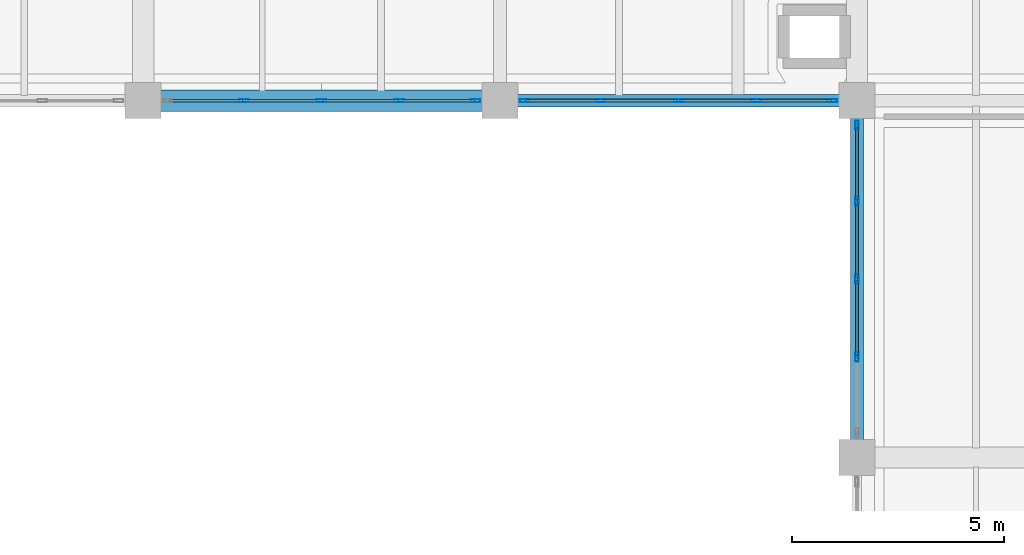
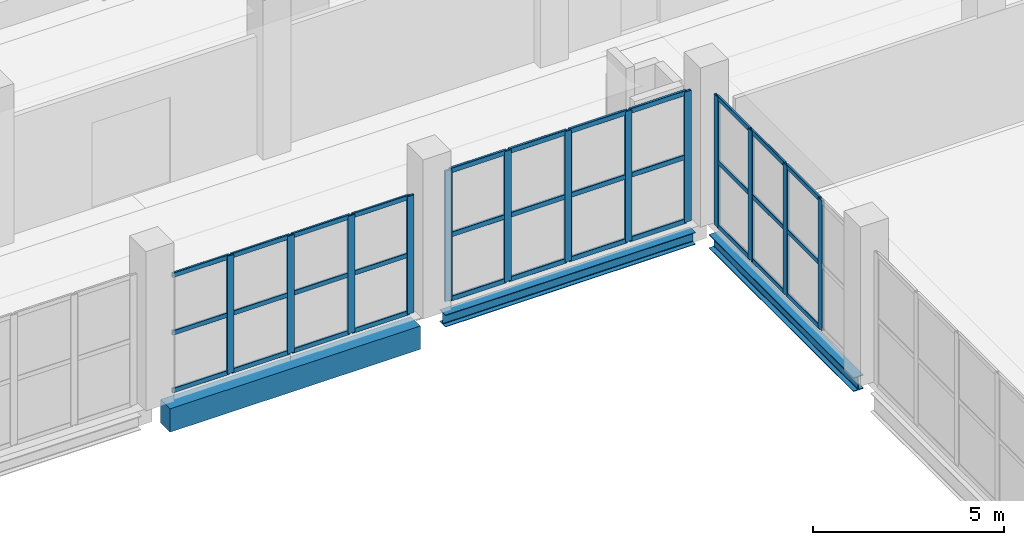
# One storey, part 36 of 66: 46 members, 3 beams, 3 elements without a shape of their own.
"""IFC4 building model written with IfcOpenShell, lengths in metres."""

from ifc_helpers import new_model, si_unit, direction, frame, origin, origin_2d, place, context, subcontext, project, spatial, rectangle, hollow_rectangle, i_section, extrude, material, layer, layer_set, material_profile, profile_set, type_object, element, aggregate, save


model = new_model("IFC4")

# Units and contexts
model_context = context("Model", 3, precision=1e-05, world=origin(), true_north=direction((0.0, 1.0)))
body_context = subcontext(model_context, "Body", "Model", "MODEL_VIEW")
ifc_project = project(units=[si_unit("LENGTHUNIT", "METRE"), si_unit("AREAUNIT", "SQUARE_METRE"), si_unit("VOLUMEUNIT", "CUBIC_METRE"), si_unit("PLANEANGLEUNIT", "RADIAN"), si_unit("MASSUNIT", "GRAM", prefix="KILO")], contexts=[model_context])

# Site, building, storey
site_placement = place(None, origin())
site = spatial("IfcSite", under=ifc_project, at=site_placement, CompositionType="ELEMENT")
building_placement = place(site_placement, origin())
building = spatial("IfcBuilding", under=site, at=building_placement, Name="Zulmaris Art Gallery", CompositionType="ELEMENT")
storey_placement = place(building_placement, frame((0.0, 0.0, 5.39990234375)))
storey = spatial("IfcBuildingStorey", under=building, at=storey_placement, Name="L01", CompositionType="ELEMENT", Elevation=5.39990234375)

# Beams
ifc_material_1 = material(Name="Steel S355J2", Category="steel")
ifc_material_profile_1 = material_profile(ifc_material_1, i_section(OverallWidth=0.300048828125, OverallDepth=0.389892578125, WebThickness=0.010986328125, FlangeThickness=0.01904296875, FilletRadius=0.027099609375, at=origin_2d()), Name="HEA 400")
ifc_profile_set_1 = profile_set([ifc_material_profile_1], Name="Steel S355J2")
beam_type_1 = type_object("IfcBeamType", Name="BEAM-BM09", PredefinedType="BEAM", material=ifc_profile_set_1)
beam_1_placement = place(storey_placement, frame((175.610107421875, 58.800048828125, -0.52490234375), z_axis=(1.0, 0.0, 0.0), x_axis=(0.0, 1.0, 0.0)))
element("IfcBeam", 1, at=beam_1_placement, inside=storey, type_object=beam_type_1, Name="L01 X-girder (175.2..183.6, y=58.8)", PredefinedType="BEAM", context=body_context, shape_type="SweptSolid", body=[
    extrude(i_section(OverallWidth=0.300048828125, OverallDepth=0.389892578125, WebThickness=0.010986328125, FlangeThickness=0.01904296875, FilletRadius=0.027099609375, at=origin_2d()), origin(), (0.0, 0.0, 1.0), 7.579833984375),
])
ifc_material_profile_2 = material_profile(ifc_material_1, i_section(OverallWidth=0.300048828125, OverallDepth=0.449951171875, WebThickness=0.013916015625, FlangeThickness=0.02587890625, FilletRadius=0.027099609375, at=origin_2d()), Name="HEB 450")
ifc_profile_set_2 = profile_set([ifc_material_profile_2], Name="Steel S355J2")
beam_type_2 = type_object("IfcBeamType", Name="BEAM-BM13", PredefinedType="BEAM", material=ifc_profile_set_2)
beam_2_placement = place(storey_placement, frame((183.60009765625, 50.81005859375, -0.554931640625), z_axis=(0.0, 1.0, 0.0), x_axis=(-1.0, 0.0, 0.0)))
element("IfcBeam", 2, at=beam_2_placement, inside=storey, type_object=beam_type_2, Name="L01 Y-girder (x=183.6, 50.4..58.8)", PredefinedType="BEAM", context=body_context, shape_type="SweptSolid", body=[
    extrude(i_section(OverallWidth=0.300048828125, OverallDepth=0.449951171875, WebThickness=0.013916015625, FlangeThickness=0.02587890625, FilletRadius=0.027099609375, at=origin_2d()), origin(), (0.0, 0.0, 1.0), 7.579833984375),
])
ifc_material_2 = material(Name="Concrete C40/50", Category="concrete")
ifc_material_profile_3 = material_profile(ifc_material_2, rectangle(XDim=0.5, YDim=0.75, at=origin_2d()), Name="RC 500x750")
ifc_profile_set_3 = profile_set([ifc_material_profile_3], Name="Concrete C40/50")
beam_type_3 = type_object("IfcBeamType", Name="BEAM-BM20", PredefinedType="BEAM", material=ifc_profile_set_3)
beam_3_placement = place(storey_placement, frame((167.2099609375, 58.800048828125, -0.704833984375), z_axis=(1.0, 0.0, 0.0), x_axis=(0.0, 1.0, 0.0)))
element("IfcBeam", 3, at=beam_3_placement, inside=storey, type_object=beam_type_3, Name="L01 X-girder (166.8..175.2, y=58.8)", PredefinedType="BEAM", context=body_context, shape_type="SweptSolid", body=[
    extrude(rectangle(XDim=0.5, YDim=0.75, at=origin_2d()), origin(), (0.0, 0.0, 1.0), 7.580078125),
])

# Curtain wall, members
ifc_material_3 = material(Name="Courtyard Artists Studio Curtain Wall", Category="aluminium")
ifc_layer = layer(ifc_material_3, 0.179931640625)
ifc_layer_set = layer_set([ifc_layer], Name="Courtyard Artists Studio Curtain Wall")
curtain_wall_type = type_object("IfcCurtainWallType", Name="CW-CW04", PredefinedType="NOTDEFINED", material=ifc_layer_set)
curtain_wall_1_placement = place(storey_placement, origin())
curtain_wall_1 = element("IfcCurtainWall", 4, at=curtain_wall_1_placement, inside=storey, type_object=curtain_wall_type, Name="L01 curtain wall 128", PredefinedType="NOTDEFINED")
ifc_material_4 = material(Name="Anodised Bronze Aluminium", Category="aluminium")
ifc_material_profile_4 = material_profile(ifc_material_4, hollow_rectangle(XDim=0.074951171875, YDim=0.219970703125, WallThickness=0.0048828125, InnerFilletRadius=0.007568359375, OuterFilletRadius=0.012451171875, at=origin_2d()), Name="ALU 75x220x5")
ifc_profile_set_4 = profile_set([ifc_material_profile_4], Name="Anodised Bronze Aluminium")
member_type_1 = type_object("IfcMemberType", Name="CWMUL-02", PredefinedType="MULLION", material=ifc_profile_set_4)
member_1_placement = place(storey_placement, frame((183.60009765625, 58.222412109375, 0.0), z_axis=(0.0, 0.0, 1.0), x_axis=(1.0, 0.0, 0.0)))
member_1 = element("IfcMember", 5, at=member_1_placement, type_object=member_type_1, Name="CW04 mullion 1", PredefinedType="MULLION", context=body_context, shape_type="SweptSolid", body=[
    extrude(hollow_rectangle(XDim=0.074951171875, YDim=0.219970703125, WallThickness=0.0048828125, InnerFilletRadius=0.007568359375, OuterFilletRadius=0.012451171875, at=origin_2d()), origin(), (0.0, 0.0, 1.0), 4.170166015625),
])
member_2_placement = place(storey_placement, frame((183.60009765625, 56.429931640625, 0.0), z_axis=(0.0, 0.0, 1.0), x_axis=(1.0, 0.0, 0.0)))
member_2 = element("IfcMember", 6, at=member_2_placement, type_object=member_type_1, Name="CW04 mullion 2", PredefinedType="MULLION", context=body_context, shape_type="SweptSolid", body=[
    extrude(hollow_rectangle(XDim=0.074951171875, YDim=0.219970703125, WallThickness=0.0048828125, InnerFilletRadius=0.007568359375, OuterFilletRadius=0.012451171875, at=origin_2d()), origin(), (0.0, 0.0, 1.0), 4.170166015625),
])
member_3_placement = place(storey_placement, frame((183.60009765625, 54.60009765625, 0.0), z_axis=(0.0, 0.0, 1.0), x_axis=(1.0, 0.0, 0.0)))
member_3 = element("IfcMember", 7, at=member_3_placement, type_object=member_type_1, Name="CW04 mullion 3", PredefinedType="MULLION", context=body_context, shape_type="SweptSolid", body=[
    extrude(hollow_rectangle(XDim=0.074951171875, YDim=0.219970703125, WallThickness=0.0048828125, InnerFilletRadius=0.007568359375, OuterFilletRadius=0.012451171875, at=origin_2d()), origin(), (0.0, 0.0, 1.0), 4.170166015625),
])
member_4_placement = place(storey_placement, frame((183.60009765625, 52.77001953125, 0.0), z_axis=(0.0, 0.0, 1.0), x_axis=(1.0, 0.0, 0.0)))
member_4 = element("IfcMember", 8, at=member_4_placement, type_object=member_type_1, Name="CW04 mullion 4", PredefinedType="MULLION", context=body_context, shape_type="SweptSolid", body=[
    extrude(hollow_rectangle(XDim=0.074951171875, YDim=0.219970703125, WallThickness=0.0048828125, InnerFilletRadius=0.007568359375, OuterFilletRadius=0.012451171875, at=origin_2d()), origin(), (0.0, 0.0, 1.0), 4.170166015625),
])

curtain_wall_2_placement = place(storey_placement, origin())
curtain_wall_2 = element("IfcCurtainWall", 9, at=curtain_wall_2_placement, inside=storey, type_object=curtain_wall_type, Name="L01 curtain wall 131", PredefinedType="NOTDEFINED")
member_5_placement = place(storey_placement, frame((174.62255859375, 58.800048828125, 0.0), z_axis=(0.0, 0.0, 1.0), x_axis=(0.0, -1.0, 0.0)))
member_5 = element("IfcMember", 10, at=member_5_placement, type_object=member_type_1, Name="CW04 mullion 1", PredefinedType="MULLION", context=body_context, shape_type="SweptSolid", body=[
    extrude(hollow_rectangle(XDim=0.074951171875, YDim=0.219970703125, WallThickness=0.0048828125, InnerFilletRadius=0.007568359375, OuterFilletRadius=0.012451171875, at=origin_2d()), origin(), (0.0, 0.0, 1.0), 3.77001953125),
])
member_6_placement = place(storey_placement, frame((172.830078125, 58.800048828125, 0.0), z_axis=(0.0, 0.0, 1.0), x_axis=(0.0, -1.0, 0.0)))
member_6 = element("IfcMember", 11, at=member_6_placement, type_object=member_type_1, Name="CW04 mullion 2", PredefinedType="MULLION", context=body_context, shape_type="SweptSolid", body=[
    extrude(hollow_rectangle(XDim=0.074951171875, YDim=0.219970703125, WallThickness=0.0048828125, InnerFilletRadius=0.007568359375, OuterFilletRadius=0.012451171875, at=origin_2d()), origin(), (0.0, 0.0, 1.0), 3.77001953125),
])
member_7_placement = place(storey_placement, frame((171.0, 58.800048828125, 0.0), z_axis=(0.0, 0.0, 1.0), x_axis=(0.0, -1.0, 0.0)))
member_7 = element("IfcMember", 12, at=member_7_placement, type_object=member_type_1, Name="CW04 mullion 3", PredefinedType="MULLION", context=body_context, shape_type="SweptSolid", body=[
    extrude(hollow_rectangle(XDim=0.074951171875, YDim=0.219970703125, WallThickness=0.0048828125, InnerFilletRadius=0.007568359375, OuterFilletRadius=0.012451171875, at=origin_2d()), origin(), (0.0, 0.0, 1.0), 3.77001953125),
])
member_8_placement = place(storey_placement, frame((169.169921875, 58.800048828125, 0.0), z_axis=(0.0, 0.0, 1.0), x_axis=(0.0, -1.0, 0.0)))
member_8 = element("IfcMember", 13, at=member_8_placement, type_object=member_type_1, Name="CW04 mullion 4", PredefinedType="MULLION", context=body_context, shape_type="SweptSolid", body=[
    extrude(hollow_rectangle(XDim=0.074951171875, YDim=0.219970703125, WallThickness=0.0048828125, InnerFilletRadius=0.007568359375, OuterFilletRadius=0.012451171875, at=origin_2d()), origin(), (0.0, 0.0, 1.0), 3.77001953125),
])

curtain_wall_3_placement = place(storey_placement, origin())
curtain_wall_3 = element("IfcCurtainWall", 14, at=curtain_wall_3_placement, inside=storey, type_object=curtain_wall_type, Name="L01 curtain wall 133", PredefinedType="NOTDEFINED")
member_9_placement = place(storey_placement, frame((183.0224609375, 58.800048828125, 0.0), z_axis=(0.0, 0.0, 1.0), x_axis=(0.0, -1.0, 0.0)))
member_9 = element("IfcMember", 15, at=member_9_placement, type_object=member_type_1, Name="CW04 mullion 1", PredefinedType="MULLION", context=body_context, shape_type="SweptSolid", body=[
    extrude(hollow_rectangle(XDim=0.074951171875, YDim=0.219970703125, WallThickness=0.0048828125, InnerFilletRadius=0.007568359375, OuterFilletRadius=0.012451171875, at=origin_2d()), origin(), (0.0, 0.0, 1.0), 4.18017578125),
])
member_10_placement = place(storey_placement, frame((181.22998046875, 58.800048828125, 0.0), z_axis=(0.0, 0.0, 1.0), x_axis=(0.0, -1.0, 0.0)))
member_10 = element("IfcMember", 16, at=member_10_placement, type_object=member_type_1, Name="CW04 mullion 2", PredefinedType="MULLION", context=body_context, shape_type="SweptSolid", body=[
    extrude(hollow_rectangle(XDim=0.074951171875, YDim=0.219970703125, WallThickness=0.0048828125, InnerFilletRadius=0.007568359375, OuterFilletRadius=0.012451171875, at=origin_2d()), origin(), (0.0, 0.0, 1.0), 4.18017578125),
])
member_11_placement = place(storey_placement, frame((179.39990234375, 58.800048828125, 0.0), z_axis=(0.0, 0.0, 1.0), x_axis=(0.0, -1.0, 0.0)))
member_11 = element("IfcMember", 17, at=member_11_placement, type_object=member_type_1, Name="CW04 mullion 3", PredefinedType="MULLION", context=body_context, shape_type="SweptSolid", body=[
    extrude(hollow_rectangle(XDim=0.074951171875, YDim=0.219970703125, WallThickness=0.0048828125, InnerFilletRadius=0.007568359375, OuterFilletRadius=0.012451171875, at=origin_2d()), origin(), (0.0, 0.0, 1.0), 4.18017578125),
])
member_12_placement = place(storey_placement, frame((177.570068359375, 58.800048828125, 0.0), z_axis=(0.0, 0.0, 1.0), x_axis=(0.0, -1.0, 0.0)))
member_12 = element("IfcMember", 18, at=member_12_placement, type_object=member_type_1, Name="CW04 mullion 4", PredefinedType="MULLION", context=body_context, shape_type="SweptSolid", body=[
    extrude(hollow_rectangle(XDim=0.074951171875, YDim=0.219970703125, WallThickness=0.0048828125, InnerFilletRadius=0.007568359375, OuterFilletRadius=0.012451171875, at=origin_2d()), origin(), (0.0, 0.0, 1.0), 4.18017578125),
])
member_13_placement = place(storey_placement, frame((175.777587890625, 58.800048828125, 0.0), z_axis=(0.0, 0.0, 1.0), x_axis=(0.0, -1.0, 0.0)))
member_13 = element("IfcMember", 19, at=member_13_placement, type_object=member_type_1, Name="CW04 mullion 5", PredefinedType="MULLION", context=body_context, shape_type="SweptSolid", body=[
    extrude(hollow_rectangle(XDim=0.074951171875, YDim=0.219970703125, WallThickness=0.0048828125, InnerFilletRadius=0.007568359375, OuterFilletRadius=0.012451171875, at=origin_2d()), origin(), (0.0, 0.0, 1.0), 4.18017578125),
])

# Member
ifc_material_profile_5 = material_profile(ifc_material_4, hollow_rectangle(XDim=0.06494140625, YDim=0.14990234375, WallThickness=0.00390625, InnerFilletRadius=0.006103515625, OuterFilletRadius=0.010009765625, at=origin_2d()), Name="ALU 65x150x4")
ifc_profile_set_5 = profile_set([ifc_material_profile_5], Name="Anodised Bronze Aluminium")
member_type_2 = type_object("IfcMemberType", Name="CWTRN-01", PredefinedType="USERDEFINED", material=ifc_profile_set_5)
member_14_placement = place(storey_placement, frame((183.60009765625, 58.18505859375, 0.03759765625), z_axis=(0.0, -1.0, 0.0), x_axis=(1.0, 0.0, 0.0)))
member_14 = element("IfcMember", 20, at=member_14_placement, type_object=member_type_2, Name="CW04 transom 1.1", ObjectType="TRANSOM", PredefinedType="USERDEFINED", context=body_context, shape_type="SweptSolid", body=[
    extrude(hollow_rectangle(XDim=0.06494140625, YDim=0.14990234375, WallThickness=0.00390625, InnerFilletRadius=0.006103515625, OuterFilletRadius=0.010009765625, at=origin_2d()), origin(), (0.0, 0.0, 1.0), 1.717529296875),
])

member_15_placement = place(storey_placement, frame((183.60009765625, 58.18505859375, 2.085205078125), z_axis=(0.0, -1.0, 0.0), x_axis=(1.0, 0.0, 0.0)))
member_15 = element("IfcMember", 21, at=member_15_placement, type_object=member_type_2, Name="CW04 transom 1.2", ObjectType="TRANSOM", PredefinedType="USERDEFINED", context=body_context, shape_type="SweptSolid", body=[
    extrude(hollow_rectangle(XDim=0.06494140625, YDim=0.14990234375, WallThickness=0.00390625, InnerFilletRadius=0.006103515625, OuterFilletRadius=0.010009765625, at=origin_2d()), origin(), (0.0, 0.0, 1.0), 1.717529296875),
])

member_16_placement = place(storey_placement, frame((183.60009765625, 58.18505859375, 4.132568359375), z_axis=(0.0, -1.0, 0.0), x_axis=(1.0, 0.0, 0.0)))
member_16 = element("IfcMember", 22, at=member_16_placement, type_object=member_type_2, Name="CW04 transom 1.3", ObjectType="TRANSOM", PredefinedType="USERDEFINED", context=body_context, shape_type="SweptSolid", body=[
    extrude(hollow_rectangle(XDim=0.06494140625, YDim=0.14990234375, WallThickness=0.00390625, InnerFilletRadius=0.006103515625, OuterFilletRadius=0.010009765625, at=origin_2d()), origin(), (0.0, 0.0, 1.0), 1.717529296875),
])

member_17_placement = place(storey_placement, frame((183.60009765625, 56.392578125, 0.03759765625), z_axis=(0.0, -1.0, 0.0), x_axis=(1.0, 0.0, 0.0)))
member_17 = element("IfcMember", 23, at=member_17_placement, type_object=member_type_2, Name="CW04 transom 2.1", ObjectType="TRANSOM", PredefinedType="USERDEFINED", context=body_context, shape_type="SweptSolid", body=[
    extrude(hollow_rectangle(XDim=0.06494140625, YDim=0.14990234375, WallThickness=0.00390625, InnerFilletRadius=0.006103515625, OuterFilletRadius=0.010009765625, at=origin_2d()), origin(), (0.0, 0.0, 1.0), 1.755126953125),
])

member_18_placement = place(storey_placement, frame((183.60009765625, 56.392578125, 2.085205078125), z_axis=(0.0, -1.0, 0.0), x_axis=(1.0, 0.0, 0.0)))
member_18 = element("IfcMember", 24, at=member_18_placement, type_object=member_type_2, Name="CW04 transom 2.2", ObjectType="TRANSOM", PredefinedType="USERDEFINED", context=body_context, shape_type="SweptSolid", body=[
    extrude(hollow_rectangle(XDim=0.06494140625, YDim=0.14990234375, WallThickness=0.00390625, InnerFilletRadius=0.006103515625, OuterFilletRadius=0.010009765625, at=origin_2d()), origin(), (0.0, 0.0, 1.0), 1.755126953125),
])

member_19_placement = place(storey_placement, frame((183.60009765625, 56.392578125, 4.132568359375), z_axis=(0.0, -1.0, 0.0), x_axis=(1.0, 0.0, 0.0)))
member_19 = element("IfcMember", 25, at=member_19_placement, type_object=member_type_2, Name="CW04 transom 2.3", ObjectType="TRANSOM", PredefinedType="USERDEFINED", context=body_context, shape_type="SweptSolid", body=[
    extrude(hollow_rectangle(XDim=0.06494140625, YDim=0.14990234375, WallThickness=0.00390625, InnerFilletRadius=0.006103515625, OuterFilletRadius=0.010009765625, at=origin_2d()), origin(), (0.0, 0.0, 1.0), 1.755126953125),
])

member_20_placement = place(storey_placement, frame((183.60009765625, 54.5625, 0.03759765625), z_axis=(0.0, -1.0, 0.0), x_axis=(1.0, 0.0, 0.0)))
member_20 = element("IfcMember", 26, at=member_20_placement, type_object=member_type_2, Name="CW04 transom 3.1", ObjectType="TRANSOM", PredefinedType="USERDEFINED", context=body_context, shape_type="SweptSolid", body=[
    extrude(hollow_rectangle(XDim=0.06494140625, YDim=0.14990234375, WallThickness=0.00390625, InnerFilletRadius=0.006103515625, OuterFilletRadius=0.010009765625, at=origin_2d()), origin(), (0.0, 0.0, 1.0), 1.7548828125),
])

member_21_placement = place(storey_placement, frame((183.60009765625, 54.5625, 2.085205078125), z_axis=(0.0, -1.0, 0.0), x_axis=(1.0, 0.0, 0.0)))
member_21 = element("IfcMember", 27, at=member_21_placement, type_object=member_type_2, Name="CW04 transom 3.2", ObjectType="TRANSOM", PredefinedType="USERDEFINED", context=body_context, shape_type="SweptSolid", body=[
    extrude(hollow_rectangle(XDim=0.06494140625, YDim=0.14990234375, WallThickness=0.00390625, InnerFilletRadius=0.006103515625, OuterFilletRadius=0.010009765625, at=origin_2d()), origin(), (0.0, 0.0, 1.0), 1.7548828125),
])

member_22_placement = place(storey_placement, frame((183.60009765625, 54.5625, 4.132568359375), z_axis=(0.0, -1.0, 0.0), x_axis=(1.0, 0.0, 0.0)))
member_22 = element("IfcMember", 28, at=member_22_placement, type_object=member_type_2, Name="CW04 transom 3.3", ObjectType="TRANSOM", PredefinedType="USERDEFINED", context=body_context, shape_type="SweptSolid", body=[
    extrude(hollow_rectangle(XDim=0.06494140625, YDim=0.14990234375, WallThickness=0.00390625, InnerFilletRadius=0.006103515625, OuterFilletRadius=0.010009765625, at=origin_2d()), origin(), (0.0, 0.0, 1.0), 1.7548828125),
])

aggregate(curtain_wall_1, [member_1, member_2, member_3, member_4, member_14, member_15, member_16, member_17, member_18, member_19, member_20, member_21, member_22])

member_23_placement = place(storey_placement, frame((174.5849609375, 58.800048828125, 0.03759765625), z_axis=(-1.0, 0.0, 0.0), x_axis=(0.0, -1.0, 0.0)))
member_23 = element("IfcMember", 29, at=member_23_placement, type_object=member_type_2, Name="CW04 transom 1.1", ObjectType="TRANSOM", PredefinedType="USERDEFINED", context=body_context, shape_type="SweptSolid", body=[
    extrude(hollow_rectangle(XDim=0.06494140625, YDim=0.14990234375, WallThickness=0.00390625, InnerFilletRadius=0.006103515625, OuterFilletRadius=0.010009765625, at=origin_2d()), origin(), (0.0, 0.0, 1.0), 1.717529296875),
])

member_24_placement = place(storey_placement, frame((174.5849609375, 58.800048828125, 1.885009765625), z_axis=(-1.0, 0.0, 0.0), x_axis=(0.0, -1.0, 0.0)))
member_24 = element("IfcMember", 30, at=member_24_placement, type_object=member_type_2, Name="CW04 transom 1.2", ObjectType="TRANSOM", PredefinedType="USERDEFINED", context=body_context, shape_type="SweptSolid", body=[
    extrude(hollow_rectangle(XDim=0.06494140625, YDim=0.14990234375, WallThickness=0.00390625, InnerFilletRadius=0.006103515625, OuterFilletRadius=0.010009765625, at=origin_2d()), origin(), (0.0, 0.0, 1.0), 1.717529296875),
])

member_25_placement = place(storey_placement, frame((174.5849609375, 58.800048828125, 3.732666015625), z_axis=(-1.0, 0.0, 0.0), x_axis=(0.0, -1.0, 0.0)))
member_25 = element("IfcMember", 31, at=member_25_placement, type_object=member_type_2, Name="CW04 transom 1.3", ObjectType="TRANSOM", PredefinedType="USERDEFINED", context=body_context, shape_type="SweptSolid", body=[
    extrude(hollow_rectangle(XDim=0.06494140625, YDim=0.14990234375, WallThickness=0.00390625, InnerFilletRadius=0.006103515625, OuterFilletRadius=0.010009765625, at=origin_2d()), origin(), (0.0, 0.0, 1.0), 1.717529296875),
])

member_26_placement = place(storey_placement, frame((172.79248046875, 58.800048828125, 0.03759765625), z_axis=(-1.0, 0.0, 0.0), x_axis=(0.0, -1.0, 0.0)))
member_26 = element("IfcMember", 32, at=member_26_placement, type_object=member_type_2, Name="CW04 transom 2.1", ObjectType="TRANSOM", PredefinedType="USERDEFINED", context=body_context, shape_type="SweptSolid", body=[
    extrude(hollow_rectangle(XDim=0.06494140625, YDim=0.14990234375, WallThickness=0.00390625, InnerFilletRadius=0.006103515625, OuterFilletRadius=0.010009765625, at=origin_2d()), origin(), (0.0, 0.0, 1.0), 1.7548828125),
])

member_27_placement = place(storey_placement, frame((172.79248046875, 58.800048828125, 1.885009765625), z_axis=(-1.0, 0.0, 0.0), x_axis=(0.0, -1.0, 0.0)))
member_27 = element("IfcMember", 33, at=member_27_placement, type_object=member_type_2, Name="CW04 transom 2.2", ObjectType="TRANSOM", PredefinedType="USERDEFINED", context=body_context, shape_type="SweptSolid", body=[
    extrude(hollow_rectangle(XDim=0.06494140625, YDim=0.14990234375, WallThickness=0.00390625, InnerFilletRadius=0.006103515625, OuterFilletRadius=0.010009765625, at=origin_2d()), origin(), (0.0, 0.0, 1.0), 1.7548828125),
])

member_28_placement = place(storey_placement, frame((172.79248046875, 58.800048828125, 3.732666015625), z_axis=(-1.0, 0.0, 0.0), x_axis=(0.0, -1.0, 0.0)))
member_28 = element("IfcMember", 34, at=member_28_placement, type_object=member_type_2, Name="CW04 transom 2.3", ObjectType="TRANSOM", PredefinedType="USERDEFINED", context=body_context, shape_type="SweptSolid", body=[
    extrude(hollow_rectangle(XDim=0.06494140625, YDim=0.14990234375, WallThickness=0.00390625, InnerFilletRadius=0.006103515625, OuterFilletRadius=0.010009765625, at=origin_2d()), origin(), (0.0, 0.0, 1.0), 1.7548828125),
])

member_29_placement = place(storey_placement, frame((170.96240234375, 58.800048828125, 0.03759765625), z_axis=(-1.0, 0.0, 0.0), x_axis=(0.0, -1.0, 0.0)))
member_29 = element("IfcMember", 35, at=member_29_placement, type_object=member_type_2, Name="CW04 transom 3.1", ObjectType="TRANSOM", PredefinedType="USERDEFINED", context=body_context, shape_type="SweptSolid", body=[
    extrude(hollow_rectangle(XDim=0.06494140625, YDim=0.14990234375, WallThickness=0.00390625, InnerFilletRadius=0.006103515625, OuterFilletRadius=0.010009765625, at=origin_2d()), origin(), (0.0, 0.0, 1.0), 1.7548828125),
])

member_30_placement = place(storey_placement, frame((170.96240234375, 58.800048828125, 1.885009765625), z_axis=(-1.0, 0.0, 0.0), x_axis=(0.0, -1.0, 0.0)))
member_30 = element("IfcMember", 36, at=member_30_placement, type_object=member_type_2, Name="CW04 transom 3.2", ObjectType="TRANSOM", PredefinedType="USERDEFINED", context=body_context, shape_type="SweptSolid", body=[
    extrude(hollow_rectangle(XDim=0.06494140625, YDim=0.14990234375, WallThickness=0.00390625, InnerFilletRadius=0.006103515625, OuterFilletRadius=0.010009765625, at=origin_2d()), origin(), (0.0, 0.0, 1.0), 1.7548828125),
])

member_31_placement = place(storey_placement, frame((170.96240234375, 58.800048828125, 3.732666015625), z_axis=(-1.0, 0.0, 0.0), x_axis=(0.0, -1.0, 0.0)))
member_31 = element("IfcMember", 37, at=member_31_placement, type_object=member_type_2, Name="CW04 transom 3.3", ObjectType="TRANSOM", PredefinedType="USERDEFINED", context=body_context, shape_type="SweptSolid", body=[
    extrude(hollow_rectangle(XDim=0.06494140625, YDim=0.14990234375, WallThickness=0.00390625, InnerFilletRadius=0.006103515625, OuterFilletRadius=0.010009765625, at=origin_2d()), origin(), (0.0, 0.0, 1.0), 1.7548828125),
])

member_32_placement = place(storey_placement, frame((169.132568359375, 58.800048828125, 0.03759765625), z_axis=(-1.0, 0.0, 0.0), x_axis=(0.0, -1.0, 0.0)))
member_32 = element("IfcMember", 38, at=member_32_placement, type_object=member_type_2, Name="CW04 transom 4.1", ObjectType="TRANSOM", PredefinedType="USERDEFINED", context=body_context, shape_type="SweptSolid", body=[
    extrude(hollow_rectangle(XDim=0.06494140625, YDim=0.14990234375, WallThickness=0.00390625, InnerFilletRadius=0.006103515625, OuterFilletRadius=0.010009765625, at=origin_2d()), origin(), (0.0, 0.0, 1.0), 1.717529296875),
])

member_33_placement = place(storey_placement, frame((169.132568359375, 58.800048828125, 1.885009765625), z_axis=(-1.0, 0.0, 0.0), x_axis=(0.0, -1.0, 0.0)))
member_33 = element("IfcMember", 39, at=member_33_placement, type_object=member_type_2, Name="CW04 transom 4.2", ObjectType="TRANSOM", PredefinedType="USERDEFINED", context=body_context, shape_type="SweptSolid", body=[
    extrude(hollow_rectangle(XDim=0.06494140625, YDim=0.14990234375, WallThickness=0.00390625, InnerFilletRadius=0.006103515625, OuterFilletRadius=0.010009765625, at=origin_2d()), origin(), (0.0, 0.0, 1.0), 1.717529296875),
])

member_34_placement = place(storey_placement, frame((169.132568359375, 58.800048828125, 3.732666015625), z_axis=(-1.0, 0.0, 0.0), x_axis=(0.0, -1.0, 0.0)))
member_34 = element("IfcMember", 40, at=member_34_placement, type_object=member_type_2, Name="CW04 transom 4.3", ObjectType="TRANSOM", PredefinedType="USERDEFINED", context=body_context, shape_type="SweptSolid", body=[
    extrude(hollow_rectangle(XDim=0.06494140625, YDim=0.14990234375, WallThickness=0.00390625, InnerFilletRadius=0.006103515625, OuterFilletRadius=0.010009765625, at=origin_2d()), origin(), (0.0, 0.0, 1.0), 1.717529296875),
])

aggregate(curtain_wall_2, [member_5, member_6, member_7, member_8, member_23, member_24, member_25, member_26, member_27, member_28, member_29, member_30, member_31, member_32, member_33, member_34])

ifc_material_profile_6 = material_profile(ifc_material_4, hollow_rectangle(XDim=0.074951171875, YDim=0.159912109375, WallThickness=0.00390625, InnerFilletRadius=0.006103515625, OuterFilletRadius=0.010009765625, at=origin_2d()), Name="ALU 75x160x4")
ifc_profile_set_6 = profile_set([ifc_material_profile_6], Name="Anodised Bronze Aluminium")
member_type_3 = type_object("IfcMemberType", Name="CWTRN-02", PredefinedType="USERDEFINED", material=ifc_profile_set_6)
member_35_placement = place(storey_placement, frame((182.985107421875, 58.800048828125, 0.03759765625), z_axis=(-1.0, 0.0, 0.0), x_axis=(0.0, -1.0, 0.0)))
member_35 = element("IfcMember", 41, at=member_35_placement, type_object=member_type_3, Name="CW04 transom 1.1", ObjectType="TRANSOM", PredefinedType="USERDEFINED", context=body_context, shape_type="SweptSolid", body=[
    extrude(hollow_rectangle(XDim=0.074951171875, YDim=0.159912109375, WallThickness=0.00390625, InnerFilletRadius=0.006103515625, OuterFilletRadius=0.010009765625, at=origin_2d()), origin(), (0.0, 0.0, 1.0), 1.717529296875),
])

member_36_placement = place(storey_placement, frame((182.985107421875, 58.800048828125, 2.090087890625), z_axis=(-1.0, 0.0, 0.0), x_axis=(0.0, -1.0, 0.0)))
member_36 = element("IfcMember", 42, at=member_36_placement, type_object=member_type_3, Name="CW04 transom 1.2", ObjectType="TRANSOM", PredefinedType="USERDEFINED", context=body_context, shape_type="SweptSolid", body=[
    extrude(hollow_rectangle(XDim=0.074951171875, YDim=0.159912109375, WallThickness=0.00390625, InnerFilletRadius=0.006103515625, OuterFilletRadius=0.010009765625, at=origin_2d()), origin(), (0.0, 0.0, 1.0), 1.717529296875),
])

member_37_placement = place(storey_placement, frame((182.985107421875, 58.800048828125, 4.142578125), z_axis=(-1.0, 0.0, 0.0), x_axis=(0.0, -1.0, 0.0)))
member_37 = element("IfcMember", 43, at=member_37_placement, type_object=member_type_3, Name="CW04 transom 1.3", ObjectType="TRANSOM", PredefinedType="USERDEFINED", context=body_context, shape_type="SweptSolid", body=[
    extrude(hollow_rectangle(XDim=0.074951171875, YDim=0.159912109375, WallThickness=0.00390625, InnerFilletRadius=0.006103515625, OuterFilletRadius=0.010009765625, at=origin_2d()), origin(), (0.0, 0.0, 1.0), 1.717529296875),
])

member_38_placement = place(storey_placement, frame((181.1923828125, 58.800048828125, 0.03759765625), z_axis=(-1.0, 0.0, 0.0), x_axis=(0.0, -1.0, 0.0)))
member_38 = element("IfcMember", 44, at=member_38_placement, type_object=member_type_3, Name="CW04 transom 2.1", ObjectType="TRANSOM", PredefinedType="USERDEFINED", context=body_context, shape_type="SweptSolid", body=[
    extrude(hollow_rectangle(XDim=0.074951171875, YDim=0.159912109375, WallThickness=0.00390625, InnerFilletRadius=0.006103515625, OuterFilletRadius=0.010009765625, at=origin_2d()), origin(), (0.0, 0.0, 1.0), 1.7548828125),
])

member_39_placement = place(storey_placement, frame((181.1923828125, 58.800048828125, 2.090087890625), z_axis=(-1.0, 0.0, 0.0), x_axis=(0.0, -1.0, 0.0)))
member_39 = element("IfcMember", 45, at=member_39_placement, type_object=member_type_3, Name="CW04 transom 2.2", ObjectType="TRANSOM", PredefinedType="USERDEFINED", context=body_context, shape_type="SweptSolid", body=[
    extrude(hollow_rectangle(XDim=0.074951171875, YDim=0.159912109375, WallThickness=0.00390625, InnerFilletRadius=0.006103515625, OuterFilletRadius=0.010009765625, at=origin_2d()), origin(), (0.0, 0.0, 1.0), 1.7548828125),
])

member_40_placement = place(storey_placement, frame((181.1923828125, 58.800048828125, 4.142578125), z_axis=(-1.0, 0.0, 0.0), x_axis=(0.0, -1.0, 0.0)))
member_40 = element("IfcMember", 46, at=member_40_placement, type_object=member_type_3, Name="CW04 transom 2.3", ObjectType="TRANSOM", PredefinedType="USERDEFINED", context=body_context, shape_type="SweptSolid", body=[
    extrude(hollow_rectangle(XDim=0.074951171875, YDim=0.159912109375, WallThickness=0.00390625, InnerFilletRadius=0.006103515625, OuterFilletRadius=0.010009765625, at=origin_2d()), origin(), (0.0, 0.0, 1.0), 1.7548828125),
])

member_41_placement = place(storey_placement, frame((179.362548828125, 58.800048828125, 0.03759765625), z_axis=(-1.0, 0.0, 0.0), x_axis=(0.0, -1.0, 0.0)))
member_41 = element("IfcMember", 47, at=member_41_placement, type_object=member_type_3, Name="CW04 transom 3.1", ObjectType="TRANSOM", PredefinedType="USERDEFINED", context=body_context, shape_type="SweptSolid", body=[
    extrude(hollow_rectangle(XDim=0.074951171875, YDim=0.159912109375, WallThickness=0.00390625, InnerFilletRadius=0.006103515625, OuterFilletRadius=0.010009765625, at=origin_2d()), origin(), (0.0, 0.0, 1.0), 1.755126953125),
])

member_42_placement = place(storey_placement, frame((179.362548828125, 58.800048828125, 2.090087890625), z_axis=(-1.0, 0.0, 0.0), x_axis=(0.0, -1.0, 0.0)))
member_42 = element("IfcMember", 48, at=member_42_placement, type_object=member_type_3, Name="CW04 transom 3.2", ObjectType="TRANSOM", PredefinedType="USERDEFINED", context=body_context, shape_type="SweptSolid", body=[
    extrude(hollow_rectangle(XDim=0.074951171875, YDim=0.159912109375, WallThickness=0.00390625, InnerFilletRadius=0.006103515625, OuterFilletRadius=0.010009765625, at=origin_2d()), origin(), (0.0, 0.0, 1.0), 1.755126953125),
])

member_43_placement = place(storey_placement, frame((179.362548828125, 58.800048828125, 4.142578125), z_axis=(-1.0, 0.0, 0.0), x_axis=(0.0, -1.0, 0.0)))
member_43 = element("IfcMember", 49, at=member_43_placement, type_object=member_type_3, Name="CW04 transom 3.3", ObjectType="TRANSOM", PredefinedType="USERDEFINED", context=body_context, shape_type="SweptSolid", body=[
    extrude(hollow_rectangle(XDim=0.074951171875, YDim=0.159912109375, WallThickness=0.00390625, InnerFilletRadius=0.006103515625, OuterFilletRadius=0.010009765625, at=origin_2d()), origin(), (0.0, 0.0, 1.0), 1.755126953125),
])

member_44_placement = place(storey_placement, frame((177.532470703125, 58.800048828125, 0.03759765625), z_axis=(-1.0, 0.0, 0.0), x_axis=(0.0, -1.0, 0.0)))
member_44 = element("IfcMember", 50, at=member_44_placement, type_object=member_type_3, Name="CW04 transom 4.1", ObjectType="TRANSOM", PredefinedType="USERDEFINED", context=body_context, shape_type="SweptSolid", body=[
    extrude(hollow_rectangle(XDim=0.074951171875, YDim=0.159912109375, WallThickness=0.00390625, InnerFilletRadius=0.006103515625, OuterFilletRadius=0.010009765625, at=origin_2d()), origin(), (0.0, 0.0, 1.0), 1.717529296875),
])

member_45_placement = place(storey_placement, frame((177.532470703125, 58.800048828125, 2.090087890625), z_axis=(-1.0, 0.0, 0.0), x_axis=(0.0, -1.0, 0.0)))
member_45 = element("IfcMember", 51, at=member_45_placement, type_object=member_type_3, Name="CW04 transom 4.2", ObjectType="TRANSOM", PredefinedType="USERDEFINED", context=body_context, shape_type="SweptSolid", body=[
    extrude(hollow_rectangle(XDim=0.074951171875, YDim=0.159912109375, WallThickness=0.00390625, InnerFilletRadius=0.006103515625, OuterFilletRadius=0.010009765625, at=origin_2d()), origin(), (0.0, 0.0, 1.0), 1.717529296875),
])

member_46_placement = place(storey_placement, frame((177.532470703125, 58.800048828125, 4.142578125), z_axis=(-1.0, 0.0, 0.0), x_axis=(0.0, -1.0, 0.0)))
member_46 = element("IfcMember", 52, at=member_46_placement, type_object=member_type_3, Name="CW04 transom 4.3", ObjectType="TRANSOM", PredefinedType="USERDEFINED", context=body_context, shape_type="SweptSolid", body=[
    extrude(hollow_rectangle(XDim=0.074951171875, YDim=0.159912109375, WallThickness=0.00390625, InnerFilletRadius=0.006103515625, OuterFilletRadius=0.010009765625, at=origin_2d()), origin(), (0.0, 0.0, 1.0), 1.717529296875),
])

aggregate(curtain_wall_3, [member_9, member_10, member_11, member_12, member_13, member_35, member_36, member_37, member_38, member_39, member_40, member_41, member_42, member_43, member_44, member_45, member_46])

save(model, "model.ifc")
